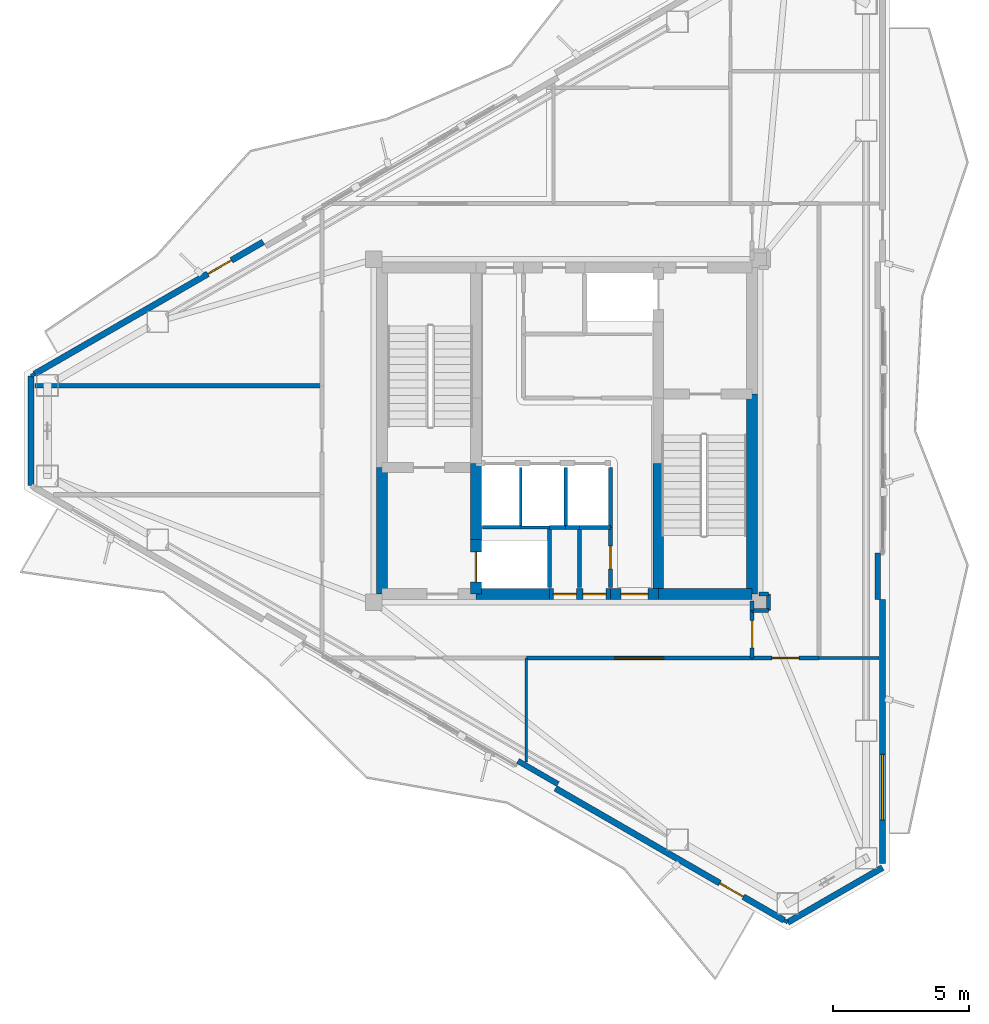
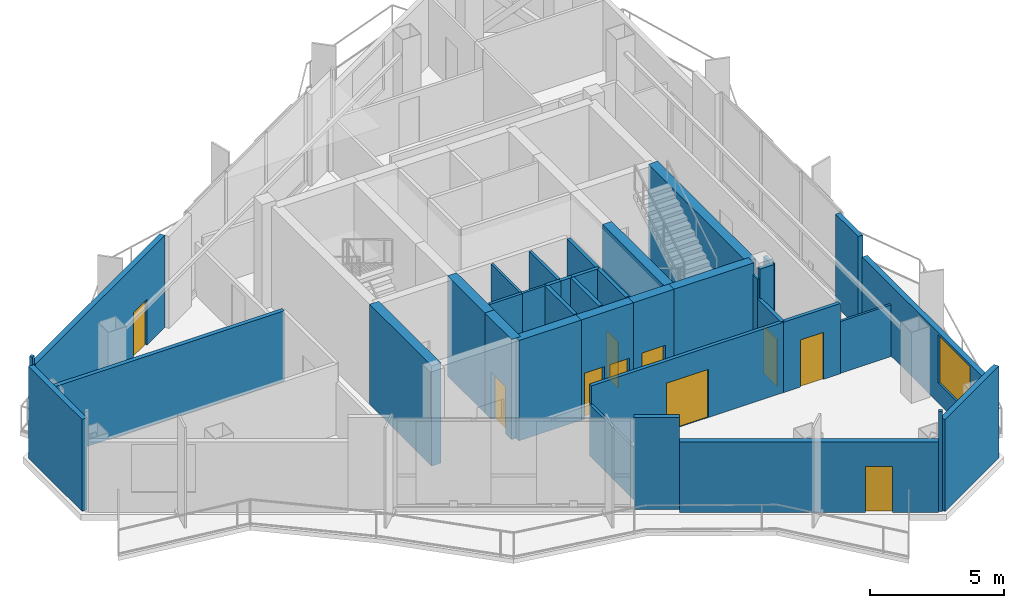
# One storey, part 11 of 15: 39 walls, 10 doors, 1 window, 11 openings.
"""IFC4 building model written with IfcOpenShell, lengths in metres."""

from ifc_helpers import new_model, si_unit, direction, frame, frame_2d, origin, place, context, subcontext, project, spatial, rectangle, extrude, material, layer, layer_set, type_object, element, fill, save


model = new_model("IFC4")

# Units and contexts
model_context = context("Model", 3, precision=1e-05, world=origin(), true_north=direction((0.0, 1.0)))
body_context = subcontext(model_context, "Body", "Model", "MODEL_VIEW")
ifc_project = project(units=[si_unit("LENGTHUNIT", "METRE"), si_unit("AREAUNIT", "SQUARE_METRE"), si_unit("VOLUMEUNIT", "CUBIC_METRE"), si_unit("PLANEANGLEUNIT", "RADIAN"), si_unit("MASSUNIT", "GRAM", prefix="KILO")], contexts=[model_context])

# Site, building, storey
site_placement = place(None, origin())
site = spatial("IfcSite", under=ifc_project, at=site_placement, CompositionType="ELEMENT")
building_placement = place(site_placement, origin())
building = spatial("IfcBuilding", under=site, at=building_placement, Name="Mersakhor Tower and Convention Hall", CompositionType="ELEMENT")
storey_placement = place(building_placement, frame((0.0, 0.0, 218.39990234375)))
storey = spatial("IfcBuildingStorey", under=building, at=storey_placement, Name="L61", CompositionType="ELEMENT", Elevation=218.39990234375)

# Walls
ifc_material_1 = material(Name="Precast concrete C40/50", Category="concrete")
ifc_layer_1 = layer(ifc_material_1, 0.22509765625)
ifc_layer_set_1 = layer_set([ifc_layer_1], Name="Precast concrete C40/50")
wall_type_1 = type_object("IfcWallType", Name="WL-EXT-225", PredefinedType="SOLIDWALL", material=ifc_layer_set_1)
for number, where, z_axis, x_axis, name in (
    (1, (40.58837890625, 10.70166015625, 0.0), (0.0, 0.0, 1.0), (-0.866023907196, -0.500002592159, 0.0), "L61 Chamfer Braced Spandrel Wall C2"),
    (2, (9.3076171875, 24.73828125, 0.0), (0.0, 0.0, 1.0), (0.0, 1.0, 0.0), "L61 Chamfer Braced Spandrel Wall C3"),
):
    element("IfcWall", number, at=place(storey_placement, frame(where, z_axis=z_axis, x_axis=x_axis)), inside=storey, type_object=wall_type_1, Name=name, PredefinedType="SOLIDWALL", context=body_context, shape_type="SweptSolid", body=[
        extrude(rectangle(XDim=4.0234375, YDim=0.22509765625, at=frame_2d((2.01171875, 0.0))), origin(), (0.0, 0.0, 1.0), 4.2001953125),
    ])

# Wall, opening, door
wall_1_placement = place(storey_placement, frame((9.4375, 28.836669921875, 0.0), z_axis=(0.0, 0.0, 1.0), x_axis=(0.866027133173, 0.499997004599, 0.0)))
wall_1 = element("IfcWall", 3, at=wall_1_placement, inside=storey, type_object=wall_type_1, Name="L61 Exterior Facade Wall F1-B1", PredefinedType="SOLIDWALL", context=body_context, shape_type="SweptSolid", body=[
    extrude(rectangle(XDim=9.69873046875, YDim=0.22509765625, at=frame_2d((4.849365234375, 0.0))), origin(), (0.0, 0.0, 1.0), 4.2001953125),
])
opening_1_placement = place(wall_1_placement, frame((7.35205078125, 0.0, 0.0)))
opening_1 = element("IfcOpeningElement", 4, at=opening_1_placement, cuts=wall_1, Name="Opening BD-01", PredefinedType="OPENING", context=body_context, shape_type="SweptSolid", body=[
    extrude(rectangle(XDim=1.0, YDim=2.10009765625, at=frame_2d((0.5, 1.050048828125))), frame((0.0, 0.12255859375, 0.0), z_axis=(0.0, -1.0, 0.0), x_axis=(1.0, 0.0, 0.0)), (0.0, 0.0, 1.0), 0.2451171875),
])
ifc_material_2 = material(Name="Thermally broken dark aluminium and safety glass", Category="aluminium")
door_type_1 = type_object("IfcDoorType", Name="DR-BAL-100x210", OperationType="NOTDEFINED", PredefinedType="DOOR", material=ifc_material_2)
door_1_placement = place(opening_1_placement, origin())
door_1 = element("IfcDoor", 5, at=door_1_placement, inside=storey, type_object=door_type_1, Name="L61 Balcony Terrace Door F1-B1", OperationType="SINGLE_SWING_LEFT", OverallHeight=2.10009765625, OverallWidth=1.0, PredefinedType="DOOR", context=body_context, shape_type="SweptSolid", body=[
    extrude(rectangle(XDim=1.0, YDim=2.10009765625, at=frame_2d((0.5, 1.050048828125))), frame((0.0, 0.02490234375, 0.0), z_axis=(0.0, -1.0, 0.0), x_axis=(1.0, 0.0, 0.0)), (0.0, 0.0, 1.0), 0.050048828125),
])
fill(opening_1, door_1)

# Wall, opening, window
wall_2_placement = place(storey_placement, frame((40.58837890625, 20.550537109375, 0.0), z_axis=(0.0, 0.0, 1.0), x_axis=(0.0, -1.0, 0.0)))
wall_2 = element("IfcWall", 6, at=wall_2_placement, inside=storey, type_object=wall_type_1, Name="L61 Exterior Facade Wall F2-B3", PredefinedType="SOLIDWALL", context=body_context, shape_type="SweptSolid", body=[
    extrude(rectangle(XDim=9.698974609375, YDim=0.22509765625, at=frame_2d((4.849609375, 0.0))), origin(), (0.0, 0.0, 1.0), 3.215087890625),
])
opening_2_placement = place(wall_2_placement, frame((5.693115234375, 0.0, 0.89990234375)))
opening_2 = element("IfcOpeningElement", 7, at=opening_2_placement, cuts=wall_2, Name="Opening W-09", PredefinedType="OPENING", context=body_context, shape_type="SweptSolid", body=[
    extrude(rectangle(XDim=2.39990234375, YDim=2.199951171875, at=frame_2d((1.199951171875, 1.10009765625))), frame((0.0, 0.12255859375, 0.0), z_axis=(0.0, -1.0, 0.0), x_axis=(1.0, 0.0, 0.0)), (0.0, 0.0, 1.0), 0.2451171875),
])
ifc_material_3 = material(Name="Dark solar low-E glazed aluminium window", Category="aluminium")
window_type = type_object("IfcWindowType", Name="WN-COM-240x220", PartitioningType="SINGLE_PANEL", PredefinedType="WINDOW", material=ifc_material_3)
window_placement = place(opening_2_placement, origin())
window = element("IfcWindow", 8, at=window_placement, inside=storey, type_object=window_type, Name="L61 Facade Punched Window F2-B3", OverallHeight=2.199951171875, OverallWidth=2.39990234375, PartitioningType="SINGLE_PANEL", PredefinedType="WINDOW", context=body_context, shape_type="SweptSolid", body=[
    extrude(rectangle(XDim=2.39990234375, YDim=2.199951171875, at=frame_2d((1.199951171875, 1.10009765625))), frame((0.0, 0.030029296875, 0.0), z_axis=(0.0, -1.0, 0.0), x_axis=(1.0, 0.0, 0.0)), (0.0, 0.0, 1.0), 0.06005859375),
])
fill(opening_2, window)

# Wall, opening, door
wall_3_placement = place(storey_placement, frame((36.97412109375, 8.764892578125, 0.0), z_axis=(0.0, 0.0, 1.0), x_axis=(-0.866016233231, 0.500015883528, 0.0)))
wall_3 = element("IfcWall", 9, at=wall_3_placement, inside=storey, type_object=wall_type_1, Name="L61 Exterior Facade Wall F3-B1", PredefinedType="SOLIDWALL", context=body_context, shape_type="SweptSolid", body=[
    extrude(rectangle(XDim=9.698974609375, YDim=0.22509765625, at=frame_2d((4.849609375, 0.0))), origin(), (0.0, 0.0, 1.0), 3.215087890625),
])
opening_3_placement = place(wall_3_placement, frame((1.72998046875, 0.0, 0.0)))
opening_3 = element("IfcOpeningElement", 10, at=opening_3_placement, cuts=wall_3, Name="Opening BD-01", PredefinedType="OPENING", context=body_context, shape_type="SweptSolid", body=[
    extrude(rectangle(XDim=1.0, YDim=2.10009765625, at=frame_2d((0.5, 1.050048828125))), frame((0.0, 0.12255859375, 0.0), z_axis=(0.0, -1.0, 0.0), x_axis=(1.0, 0.0, 0.0)), (0.0, 0.0, 1.0), 0.2451171875),
])
door_2_placement = place(opening_3_placement, origin())
door_2 = element("IfcDoor", 11, at=door_2_placement, inside=storey, type_object=door_type_1, Name="L61 Balcony Terrace Door F3-B1", OperationType="SINGLE_SWING_LEFT", OverallHeight=2.10009765625, OverallWidth=1.0, PredefinedType="DOOR", context=body_context, shape_type="SweptSolid", body=[
    extrude(rectangle(XDim=1.0, YDim=2.10009765625, at=frame_2d((0.5, 1.050048828125))), frame((0.0, 0.02490234375, 0.0), z_axis=(0.0, -1.0, 0.0), x_axis=(1.0, 0.0, 0.0)), (0.0, 0.0, 1.0), 0.050048828125),
])
fill(opening_3, door_2)

# Walls
ifc_material_4 = material(Name="Precast concrete C40/50", Category="concrete")
ifc_layer_2 = layer(ifc_material_4, 0.199951171875)
ifc_layer_set_2 = layer_set([ifc_layer_2], Name="Precast concrete C40/50")
wall_type_2 = type_object("IfcWallType", Name="WL-PAR-200", PredefinedType="PARAPET", material=ifc_layer_set_2)
wall_4_placement = place(storey_placement, frame((40.408447265625, 22.25048828125, 0.0), z_axis=(0.0, 0.0, 1.0), x_axis=(0.0, -1.0, 0.0)))
element("IfcWall", 12, at=wall_4_placement, inside=storey, type_object=wall_type_2, Name="L61 Column Pier Cladding Wall F2-C2", PredefinedType="PARAPET", context=body_context, shape_type="SweptSolid", body=[
    extrude(rectangle(XDim=1.699951171875, YDim=0.199951171875, at=frame_2d((0.85009765625, 0.0))), origin(), (0.0, 0.0, 1.0), 4.2001953125),
])
wall_5_placement = place(storey_placement, frame((28.664794921875, 13.770263671875, 0.0), z_axis=(0.0, 0.0, 1.0), x_axis=(-0.866025371046, 0.500000056704, 0.0)))
element("IfcWall", 13, at=wall_5_placement, inside=storey, type_object=wall_type_2, Name="L61 Column Pier Cladding Wall F3-C1", PredefinedType="PARAPET", context=body_context, shape_type="SweptSolid", body=[
    extrude(rectangle(XDim=1.7001953125, YDim=0.199951171875, at=frame_2d((0.85009765625, 0.0))), origin(), (0.0, 0.0, 1.0), 4.2001953125),
])
ifc_material_5 = material(Name="Moisture-resistant acoustic drywall studwork", Category="other")
ifc_layer_3 = layer(ifc_material_5, 0.175048828125)
ifc_layer_set_3 = layer_set([ifc_layer_3], Name="Moisture-resistant acoustic drywall studwork")
wall_type_3 = type_object("IfcWallType", Name="WL-PLM-175", PredefinedType="PLUMBINGWALL", material=ifc_layer_set_3)
wall_6_placement = place(storey_placement, frame((9.444091796875, 28.39990234375, 0.0), z_axis=(0.0, 0.0, 1.0), x_axis=(1.0, 0.0, 0.0)))
element("IfcWall", 14, at=wall_6_placement, inside=storey, type_object=wall_type_3, Name="L61 Interior Partition Wall P-039", PredefinedType="PLUMBINGWALL", context=body_context, shape_type="SweptSolid", body=[
    extrude(rectangle(XDim=10.555908203125, YDim=0.175048828125, at=frame_2d((5.27783203125, 0.0))), origin(), (0.0, 0.0, 1.0), 3.215087890625),
])
ifc_material_6 = material(Name="Lightweight gypsum partition", Category="other")
ifc_layer_4 = layer(ifc_material_6, 0.10009765625)
ifc_layer_set_4 = layer_set([ifc_layer_4], Name="Lightweight gypsum partition")
wall_type_4 = type_object("IfcWallType", Name="WL-PRT-100", PredefinedType="PARTITIONING", material=ifc_layer_set_4)
wall_7_placement = place(storey_placement, frame((27.300048828125, 23.199951171875, 0.0), z_axis=(0.0, 0.0, 1.0), x_axis=(1.0, 0.0, 0.0)))
element("IfcWall", 15, at=wall_7_placement, inside=storey, type_object=wall_type_4, Name="L61 Interior Partition Wall P-002", PredefinedType="PARTITIONING", context=body_context, shape_type="SweptSolid", body=[
    extrude(rectangle(XDim=1.050048828125, YDim=0.10009765625, at=frame_2d((0.52490234375, 0.0))), origin(), (0.0, 0.0, 1.0), 4.580078125),
])
wall_8_placement = place(storey_placement, frame((27.300048828125, 25.39990234375, 0.0), z_axis=(0.0, 0.0, 1.0), x_axis=(0.0, -1.0, 0.0)))
element("IfcWall", 16, at=wall_8_placement, inside=storey, type_object=wall_type_4, Name="L61 Interior Partition Wall P-006", PredefinedType="PARTITIONING", context=body_context, shape_type="SweptSolid", body=[
    extrude(rectangle(XDim=2.199951171875, YDim=0.10009765625, at=frame_2d((1.10009765625, 0.0))), origin(), (0.0, 0.0, 1.0), 4.580078125),
])
wall_9_placement = place(storey_placement, frame((40.451904296875, 18.39990234375, 0.0), z_axis=(0.0, 0.0, 1.0), x_axis=(-1.0, 0.0, 0.0)))
element("IfcWall", 17, at=wall_9_placement, inside=storey, type_object=wall_type_4, Name="L61 Interior Partition Wall P-050", PredefinedType="PARTITIONING", context=body_context, shape_type="SweptSolid", body=[
    extrude(rectangle(XDim=2.201904296875, YDim=0.10009765625, at=frame_2d((1.10107421875, 0.0))), origin(), (0.0, 0.0, 1.0), 2.364990234375),
])
wall_10_placement = place(storey_placement, frame((27.5, 14.5859375, 0.0), z_axis=(0.0, 0.0, 1.0), x_axis=(0.0, 1.0, 0.0)))
element("IfcWall", 18, at=wall_10_placement, inside=storey, type_object=wall_type_4, Name="L61 Interior Partition Wall P-052", PredefinedType="PARTITIONING", context=body_context, shape_type="SweptSolid", body=[
    extrude(rectangle(XDim=3.81396484375, YDim=0.10009765625, at=frame_2d((1.906982421875, 0.0))), origin(), (0.0, 0.0, 1.0), 2.364990234375),
])
ifc_material_7 = material(Name="Gypsum board acoustic partition", Category="other")
ifc_layer_5 = layer(ifc_material_7, 0.125)
ifc_layer_set_5 = layer_set([ifc_layer_5], Name="Gypsum board acoustic partition")
wall_type_5 = type_object("IfcWallType", Name="WL-PRT-125", PredefinedType="PARTITIONING", material=ifc_layer_set_5)
wall_11_placement = place(storey_placement, frame((25.89990234375, 23.199951171875, 0.0), z_axis=(0.0, 0.0, 1.0), x_axis=(1.0, 0.0, 0.0)))
element("IfcWall", 19, at=wall_11_placement, inside=storey, type_object=wall_type_5, Name="L61 Interior Partition Wall P-001", PredefinedType="PARTITIONING", context=body_context, shape_type="SweptSolid", body=[
    extrude(rectangle(XDim=1.400146484375, YDim=0.125, at=frame_2d((0.7001953125, 0.0))), origin(), (0.0, 0.0, 1.0), 4.580078125),
])
wall_12_placement = place(storey_placement, frame((28.949951171875, 25.39990234375, 0.0), z_axis=(0.0, 0.0, 1.0), x_axis=(0.0, -1.0, 0.0)))
element("IfcWall", 20, at=wall_12_placement, inside=storey, type_object=wall_type_5, Name="L61 Interior Partition Wall P-007", PredefinedType="PARTITIONING", context=body_context, shape_type="SweptSolid", body=[
    extrude(rectangle(XDim=2.199951171875, YDim=0.125, at=frame_2d((1.10009765625, 0.0))), origin(), (0.0, 0.0, 1.0), 4.580078125),
])
wall_13_placement = place(storey_placement, frame((37.10400390625, 8.68994140625, 0.0), z_axis=(0.0, 0.0, 1.0), x_axis=(-0.866131372301, 0.499816412211, 0.0)))
element("IfcWall", 21, at=wall_13_placement, inside=storey, type_object=wall_type_5, Name="L61 Interior Partition Wall P-051", PredefinedType="PARTITIONING", context=body_context, shape_type="SweptSolid", body=[
    extrude(rectangle(XDim=0.14990234375, YDim=0.125, at=frame_2d((0.074951171875, 0.0))), origin(), (0.0, 0.0, 1.0), 4.580078125),
])
wall_14_placement = place(storey_placement, frame((9.306884765625, 28.761962890625, 0.0), z_axis=(0.0, 0.0, 1.0), x_axis=(0.865833797362, 0.500331725305, 0.0)))
element("IfcWall", 22, at=wall_14_placement, inside=storey, type_object=wall_type_5, Name="L61 Interior Partition Wall P-053", PredefinedType="PARTITIONING", context=body_context, shape_type="SweptSolid", body=[
    extrude(rectangle(XDim=0.150390625, YDim=0.125, at=frame_2d((0.0751953125, 0.0))), origin(), (0.0, 0.0, 1.0), 4.580078125),
])
ifc_material_8 = material(Name="Fire-rated gypsum board stud partition", Category="other")
ifc_layer_6 = layer(ifc_material_8, 0.14990234375)
ifc_layer_set_6 = layer_set([ifc_layer_6], Name="Fire-rated gypsum board stud partition")
wall_type_6 = type_object("IfcWallType", Name="WL-PRT-150", PredefinedType="PARTITIONING", material=ifc_layer_set_6)
wall_15_placement = place(storey_placement, frame((28.35009765625, 23.199951171875, 0.0), z_axis=(0.0, 0.0, 1.0), x_axis=(0.0, -1.0, 0.0)))
element("IfcWall", 23, at=wall_15_placement, inside=storey, type_object=wall_type_6, Name="L61 Interior Partition Wall P-003", PredefinedType="PARTITIONING", context=body_context, shape_type="SweptSolid", body=[
    extrude(rectangle(XDim=2.199951171875, YDim=0.14990234375, at=frame_2d((1.10009765625, 0.0))), origin(), (0.0, 0.0, 1.0), 4.580078125),
])
wall_16_placement = place(storey_placement, frame((28.949951171875, 23.199951171875, 0.0), z_axis=(0.0, 0.0, 1.0), x_axis=(-1.0, 0.0, 0.0)))
element("IfcWall", 24, at=wall_16_placement, inside=storey, type_object=wall_type_6, Name="L61 Interior Partition Wall P-008", PredefinedType="PARTITIONING", context=body_context, shape_type="SweptSolid", body=[
    extrude(rectangle(XDim=0.599853515625, YDim=0.14990234375, at=frame_2d((0.2998046875, 0.0))), origin(), (0.0, 0.0, 1.0), 4.580078125),
])
wall_17_placement = place(storey_placement, frame((30.60009765625, 25.39990234375, 0.0), z_axis=(0.0, 0.0, 1.0), x_axis=(0.0, -1.0, 0.0)))
element("IfcWall", 25, at=wall_17_placement, inside=storey, type_object=wall_type_6, Name="L61 Interior Partition Wall P-009", PredefinedType="PARTITIONING", context=body_context, shape_type="SweptSolid", body=[
    extrude(rectangle(XDim=2.199951171875, YDim=0.14990234375, at=frame_2d((1.10009765625, 0.0))), origin(), (0.0, 0.0, 1.0), 4.580078125),
])
wall_18_placement = place(storey_placement, frame((30.60009765625, 23.199951171875, 0.0), z_axis=(0.0, 0.0, 1.0), x_axis=(-1.0, 0.0, 0.0)))
element("IfcWall", 26, at=wall_18_placement, inside=storey, type_object=wall_type_6, Name="L61 Interior Partition Wall P-010", PredefinedType="PARTITIONING", context=body_context, shape_type="SweptSolid", body=[
    extrude(rectangle(XDim=1.150146484375, YDim=0.14990234375, at=frame_2d((0.5751953125, 0.0))), origin(), (0.0, 0.0, 1.0), 4.580078125),
])
wall_19_placement = place(storey_placement, frame((29.449951171875, 23.199951171875, 0.0), z_axis=(0.0, 0.0, 1.0), x_axis=(-1.0, 0.0, 0.0)))
element("IfcWall", 27, at=wall_19_placement, inside=storey, type_object=wall_type_6, Name="L61 Interior Partition Wall P-011", PredefinedType="PARTITIONING", context=body_context, shape_type="SweptSolid", body=[
    extrude(rectangle(XDim=0.5, YDim=0.14990234375, at=frame_2d((0.25, 0.0))), origin(), (0.0, 0.0, 1.0), 4.580078125),
])

# Wall, opening, door
wall_20_placement = place(storey_placement, frame((30.60009765625, 21.0, 0.0), z_axis=(0.0, 0.0, 1.0), x_axis=(0.0, 1.0, 0.0)))
wall_20 = element("IfcWall", 28, at=wall_20_placement, inside=storey, type_object=wall_type_6, Name="L61 Interior Partition Wall P-012", PredefinedType="PARTITIONING", context=body_context, shape_type="SweptSolid", body=[
    extrude(rectangle(XDim=2.199951171875, YDim=0.14990234375, at=frame_2d((1.10009765625, 0.0))), origin(), (0.0, 0.0, 1.0), 4.580078125),
])
opening_4_placement = place(wall_20_placement, frame((0.675048828125, 0.0, 0.0)))
opening_4 = element("IfcOpeningElement", 29, at=opening_4_placement, cuts=wall_20, Name="Opening SVD-01", PredefinedType="OPENING", context=body_context, shape_type="SweptSolid", body=[
    extrude(rectangle(XDim=0.85009765625, YDim=2.10009765625, at=frame_2d((0.425048828125, 1.050048828125))), frame((0.0, 0.0849609375, 0.0), z_axis=(0.0, -1.0, 0.0), x_axis=(1.0, 0.0, 0.0)), (0.0, 0.0, 1.0), 0.169921875),
])
ifc_material_9 = material(Name="Fire-rated hardwood leaf and painted steel frame", Category="steel")
door_type_2 = type_object("IfcDoorType", Name="DR-INT-SVC-085x210", OperationType="NOTDEFINED", PredefinedType="DOOR", material=ifc_material_9)
door_3_placement = place(opening_4_placement, origin())
door_3 = element("IfcDoor", 30, at=door_3_placement, inside=storey, type_object=door_type_2, Name="L61 Central Passenger Lift Lobby to Core Maintenance Store Room Door", OperationType="SINGLE_SWING_RIGHT", OverallHeight=2.10009765625, OverallWidth=0.85009765625, PredefinedType="DOOR", context=body_context, shape_type="SweptSolid", body=[
    extrude(rectangle(XDim=0.85009765625, YDim=2.10009765625, at=frame_2d((0.425048828125, 1.050048828125))), frame((0.0, 0.02490234375, 0.0), z_axis=(0.0, -1.0, 0.0), x_axis=(1.0, 0.0, 0.0)), (0.0, 0.0, 1.0), 0.050048828125),
])
fill(opening_4, door_3)

# Wall
wall_21_placement = place(storey_placement, frame((35.800048828125, 20.5, 0.0), z_axis=(0.0, 0.0, 1.0), x_axis=(0.0, -1.0, 0.0)))
element("IfcWall", 31, at=wall_21_placement, inside=storey, type_object=wall_type_6, Name="L61 Interior Partition Wall P-021", PredefinedType="PARTITIONING", context=body_context, shape_type="SweptSolid", body=[
    extrude(rectangle(XDim=0.35009765625, YDim=0.14990234375, at=frame_2d((0.175048828125, 0.0))), origin(), (0.0, 0.0, 1.0), 4.10498046875),
])

# Wall, opening, door
wall_22_placement = place(storey_placement, frame((35.800048828125, 20.14990234375, 0.0), z_axis=(0.0, 0.0, 1.0), x_axis=(0.0, -1.0, 0.0)))
wall_22 = element("IfcWall", 32, at=wall_22_placement, inside=storey, type_object=wall_type_6, Name="L61 Interior Partition Wall P-022", PredefinedType="PARTITIONING", context=body_context, shape_type="SweptSolid", body=[
    extrude(rectangle(XDim=1.75, YDim=0.14990234375, at=frame_2d((0.875, 0.0))), origin(), (0.0, 0.0, 1.0), 3.215087890625),
])
opening_5_placement = place(wall_22_placement, frame((0.375, 0.0, 0.0)))
opening_5 = element("IfcOpeningElement", 33, at=opening_5_placement, cuts=wall_22, Name="Opening FD-01", PredefinedType="OPENING", context=body_context, shape_type="SweptSolid", body=[
    extrude(rectangle(XDim=1.0, YDim=2.14990234375, at=frame_2d((0.5, 1.074951171875))), frame((0.0, 0.0849609375, 0.0), z_axis=(0.0, -1.0, 0.0), x_axis=(1.0, 0.0, 0.0)), (0.0, 0.0, 1.0), 0.169921875),
])
ifc_material_10 = material(Name="Fire-rated hardwood leaf and painted steel frame", Category="steel")
door_type_3 = type_object("IfcDoorType", Name="DR-INT-FLT-100x215", OperationType="NOTDEFINED", PredefinedType="DOOR", material=ifc_material_10)
door_4_placement = place(opening_5_placement, origin())
door_4 = element("IfcDoor", 34, at=door_4_placement, inside=storey, type_object=door_type_3, Name="L61 Ring Corridor Fire Door", OperationType="SINGLE_SWING_RIGHT", OverallHeight=2.14990234375, OverallWidth=1.0, PredefinedType="DOOR", context=body_context, shape_type="SweptSolid", body=[
    extrude(rectangle(XDim=1.0, YDim=2.14990234375, at=frame_2d((0.5, 1.074951171875))), frame((0.0, 0.02490234375, 0.0), z_axis=(0.0, -1.0, 0.0), x_axis=(1.0, 0.0, 0.0)), (0.0, 0.0, 1.0), 0.050048828125),
])
fill(opening_5, door_4)

wall_23_placement = place(storey_placement, frame((35.800048828125, 18.39990234375, 0.0), z_axis=(0.0, 0.0, 1.0), x_axis=(-1.0, 0.0, 0.0)))
wall_23 = element("IfcWall", 35, at=wall_23_placement, inside=storey, type_object=wall_type_6, Name="L61 Interior Partition Wall P-023", PredefinedType="PARTITIONING", context=body_context, shape_type="SweptSolid", body=[
    extrude(rectangle(XDim=8.300048828125, YDim=0.14990234375, at=frame_2d((4.14990234375, 0.0))), origin(), (0.0, 0.0, 1.0), 3.215087890625),
])
opening_6_placement = place(wall_23_placement, frame((3.25, 0.0, 0.0)))
opening_6 = element("IfcOpeningElement", 36, at=opening_6_placement, cuts=wall_23, Name="Opening HD-01", PredefinedType="OPENING", context=body_context, shape_type="SweptSolid", body=[
    extrude(rectangle(XDim=1.800048828125, YDim=2.199951171875, at=frame_2d((0.89990234375, 1.10009765625))), frame((0.0, 0.0849609375, 0.0), z_axis=(0.0, -1.0, 0.0), x_axis=(1.0, 0.0, 0.0)), (0.0, 0.0, 1.0), 0.169921875),
])
ifc_material_11 = material(Name="Fire-rated hardwood leaf and painted steel frame", Category="steel")
door_type_4 = type_object("IfcDoorType", Name="DR-INT-HALL-180x220", OperationType="NOTDEFINED", PredefinedType="DOOR", material=ifc_material_11)
door_5_placement = place(opening_6_placement, origin())
door_5 = element("IfcDoor", 37, at=door_5_placement, inside=storey, type_object=door_type_4, Name="L61 L61 Sky-Lobby Corridor to Residents Committee Meeting Room Door", OperationType="DOUBLE_DOOR_SINGLE_SWING", OverallHeight=2.199951171875, OverallWidth=1.800048828125, PredefinedType="DOOR", context=body_context, shape_type="SweptSolid", body=[
    extrude(rectangle(XDim=1.800048828125, YDim=2.199951171875, at=frame_2d((0.89990234375, 1.10009765625))), frame((0.0, 0.02490234375, 0.0), z_axis=(0.0, -1.0, 0.0), x_axis=(1.0, 0.0, 0.0)), (0.0, 0.0, 1.0), 0.050048828125),
])
fill(opening_6, door_5)

wall_24_placement = place(storey_placement, frame((38.25, 18.39990234375, 0.0), z_axis=(0.0, 0.0, 1.0), x_axis=(-1.0, 0.0, 0.0)))
wall_24 = element("IfcWall", 38, at=wall_24_placement, inside=storey, type_object=wall_type_6, Name="L61 Interior Partition Wall P-032", PredefinedType="PARTITIONING", context=body_context, shape_type="SweptSolid", body=[
    extrude(rectangle(XDim=2.449951171875, YDim=0.14990234375, at=frame_2d((1.22509765625, 0.0))), origin(), (0.0, 0.0, 1.0), 3.215087890625),
])
opening_7_placement = place(wall_24_placement, frame((0.72509765625, 0.0, 0.0)))
opening_7 = element("IfcOpeningElement", 39, at=opening_7_placement, cuts=wall_24, Name="Opening FD-01", PredefinedType="OPENING", context=body_context, shape_type="SweptSolid", body=[
    extrude(rectangle(XDim=1.0, YDim=2.14990234375, at=frame_2d((0.5, 1.074951171875))), frame((0.0, 0.0849609375, 0.0), z_axis=(0.0, -1.0, 0.0), x_axis=(1.0, 0.0, 0.0)), (0.0, 0.0, 1.0), 0.169921875),
])
door_6_placement = place(opening_7_placement, origin())
door_6 = element("IfcDoor", 40, at=door_6_placement, inside=storey, type_object=door_type_3, Name="L61 L61 Sky-Lobby East Corridor to Residents Committee Meeting Room Door", OperationType="SINGLE_SWING_LEFT", OverallHeight=2.14990234375, OverallWidth=1.0, PredefinedType="DOOR", context=body_context, shape_type="SweptSolid", body=[
    extrude(rectangle(XDim=1.0, YDim=2.14990234375, at=frame_2d((0.5, 1.074951171875))), frame((0.0, 0.02490234375, 0.0), z_axis=(0.0, -1.0, 0.0), x_axis=(1.0, 0.0, 0.0)), (0.0, 0.0, 1.0), 0.050048828125),
])
fill(opening_7, door_6)

# Walls
wall_25_placement = place(storey_placement, frame((35.800048828125, 20.14990234375, 0.0), z_axis=(0.0, 0.0, 1.0), x_axis=(1.0, 0.0, 0.0)))
element("IfcWall", 41, at=wall_25_placement, inside=storey, type_object=wall_type_6, Name="L61 Interior Partition Wall P-033", PredefinedType="PARTITIONING", context=body_context, shape_type="SweptSolid", body=[
    extrude(rectangle(XDim=0.599853515625, YDim=0.14990234375, at=frame_2d((0.2998046875, 0.0))), origin(), (0.0, 0.0, 1.0), 4.580078125),
])
wall_26_placement = place(storey_placement, frame((36.39990234375, 20.14990234375, 0.0), z_axis=(0.0, 0.0, 1.0), x_axis=(0.0, 1.0, 0.0)))
element("IfcWall", 42, at=wall_26_placement, inside=storey, type_object=wall_type_6, Name="L61 Interior Partition Wall P-034", PredefinedType="PARTITIONING", context=body_context, shape_type="SweptSolid", body=[
    extrude(rectangle(XDim=0.60009765625, YDim=0.14990234375, at=frame_2d((0.300048828125, 0.0))), origin(), (0.0, 0.0, 1.0), 4.580078125),
])
wall_27_placement = place(storey_placement, frame((36.39990234375, 20.75, 0.0), z_axis=(0.0, 0.0, 1.0), x_axis=(-1.0, 0.0, 0.0)))
element("IfcWall", 43, at=wall_27_placement, inside=storey, type_object=wall_type_6, Name="L61 Interior Partition Wall P-035", PredefinedType="PARTITIONING", context=body_context, shape_type="SweptSolid", body=[
    extrude(rectangle(XDim=0.349853515625, YDim=0.14990234375, at=frame_2d((0.1748046875, 0.0))), origin(), (0.0, 0.0, 1.0), 4.10498046875),
])
wall_28_placement = place(storey_placement, frame((29.449951171875, 23.199951171875, 0.0), z_axis=(0.0, 0.0, 1.0), x_axis=(0.0, -1.0, 0.0)))
element("IfcWall", 44, at=wall_28_placement, inside=storey, type_object=wall_type_6, Name="L61 Interior Partition Wall P-041", PredefinedType="PARTITIONING", context=body_context, shape_type="SweptSolid", body=[
    extrude(rectangle(XDim=2.199951171875, YDim=0.14990234375, at=frame_2d((1.10009765625, 0.0))), origin(), (0.0, 0.0, 1.0), 4.580078125),
])
ifc_material_12 = material(Name="Concrete C60/75", Category="concrete")
ifc_layer_7 = layer(ifc_material_12, 0.39990234375)
ifc_layer_set_7 = layer_set([ifc_layer_7], Name="Concrete C60/75")
wall_type_7 = type_object("IfcWallType", Name="WL-SHR-400", PredefinedType="SHEAR", material=ifc_layer_set_7)
wall_29_placement = place(storey_placement, frame((22.199951171875, 20.75, 0.0), z_axis=(0.0, 0.0, 1.0), x_axis=(0.0, 1.0, 0.0)))
element("IfcWall", 45, at=wall_29_placement, inside=storey, type_object=wall_type_7, Name="L61 Core Wall CW-W1", PredefinedType="SHEAR", context=body_context, shape_type="SweptSolid", body=[
    extrude(rectangle(XDim=4.64990234375, YDim=0.39990234375, at=frame_2d((2.324951171875, 0.0))), origin(), (0.0, 0.0, 1.0), 4.580078125),
])
wall_30_placement = place(storey_placement, frame((35.800048828125, 28.10009765625, 0.0), z_axis=(0.0, 0.0, 1.0), x_axis=(0.0, -1.0, 0.0)))
element("IfcWall", 46, at=wall_30_placement, inside=storey, type_object=wall_type_7, Name="L61 Core Wall CW-E2", PredefinedType="SHEAR", context=body_context, shape_type="SweptSolid", body=[
    extrude(rectangle(XDim=7.35009765625, YDim=0.39990234375, at=frame_2d((3.675048828125, 0.0))), origin(), (0.0, 0.0, 1.0), 4.580078125),
])
wall_31_placement = place(storey_placement, frame((35.800048828125, 20.75, 0.0), z_axis=(0.0, 0.0, 1.0), x_axis=(-1.0, 0.0, 0.0)))
element("IfcWall", 47, at=wall_31_placement, inside=storey, type_object=wall_type_7, Name="L61 Core Wall CW-S1", PredefinedType="SHEAR", context=body_context, shape_type="SweptSolid", body=[
    extrude(rectangle(XDim=3.449951171875, YDim=0.39990234375, at=frame_2d((1.72509765625, 0.0))), origin(), (0.0, 0.0, 1.0), 4.580078125),
])

# Wall, opening, door
wall_32_placement = place(storey_placement, frame((32.35009765625, 20.75, 0.0), z_axis=(0.0, 0.0, 1.0), x_axis=(-1.0, 0.0, 0.0)))
wall_32 = element("IfcWall", 48, at=wall_32_placement, inside=storey, type_object=wall_type_7, Name="L61 Core Wall CW-S2A", PredefinedType="SHEAR", context=body_context, shape_type="SweptSolid", body=[
    extrude(rectangle(XDim=1.75, YDim=0.39990234375, at=frame_2d((0.875, 0.0))), origin(), (0.0, 0.0, 1.0), 4.580078125),
])
opening_8_placement = place(wall_32_placement, frame((0.375, 0.0, 0.0)))
opening_8 = element("IfcOpeningElement", 49, at=opening_8_placement, cuts=wall_32, Name="Opening CFD-01", PredefinedType="OPENING", context=body_context, shape_type="SweptSolid", body=[
    extrude(rectangle(XDim=1.0, YDim=2.14990234375, at=frame_2d((0.5, 1.074951171875))), frame((0.0, 0.2099609375, 0.0), z_axis=(0.0, -1.0, 0.0), x_axis=(1.0, 0.0, 0.0)), (0.0, 0.0, 1.0), 0.419921875),
])
ifc_material_13 = material(Name="Fire-rated hardwood leaf and painted steel frame", Category="steel")
door_type_5 = type_object("IfcDoorType", Name="DR-CORE-FD-100x215", OperationType="NOTDEFINED", PredefinedType="DOOR", material=ifc_material_13)
door_7_placement = place(opening_8_placement, origin())
door_7 = element("IfcDoor", 50, at=door_7_placement, inside=storey, type_object=door_type_5, Name="L61 Lift Lobby South Corridor Door", OperationType="SINGLE_SWING_RIGHT", OverallHeight=2.14990234375, OverallWidth=1.0, PredefinedType="DOOR", context=body_context, shape_type="SweptSolid", body=[
    extrude(rectangle(XDim=1.0, YDim=2.14990234375, at=frame_2d((0.5, 1.074951171875))), frame((0.0, 0.02490234375, 0.0), z_axis=(0.0, -1.0, 0.0), x_axis=(1.0, 0.0, 0.0)), (0.0, 0.0, 1.0), 0.050048828125),
])
fill(opening_8, door_7)

# Wall, openings, doors
wall_33_placement = place(storey_placement, frame((30.60009765625, 20.75, 0.0), z_axis=(0.0, 0.0, 1.0), x_axis=(-1.0, 0.0, 0.0)))
wall_33 = element("IfcWall", 51, at=wall_33_placement, inside=storey, type_object=wall_type_7, Name="L61 Core Wall CW-S2B", PredefinedType="SHEAR", context=body_context, shape_type="SweptSolid", body=[
    extrude(rectangle(XDim=2.25, YDim=0.39990234375, at=frame_2d((1.125, 0.0))), origin(), (0.0, 0.0, 1.0), 4.580078125),
])
opening_9_placement = place(wall_33_placement, frame((1.2548828125, 0.0, 0.0)))
opening_9 = element("IfcOpeningElement", 52, at=opening_9_placement, cuts=wall_33, Name="Opening SVD-01", PredefinedType="OPENING", context=body_context, shape_type="SweptSolid", body=[
    extrude(rectangle(XDim=0.85009765625, YDim=2.10009765625, at=frame_2d((0.425048828125, 1.050048828125))), frame((0.0, 0.2099609375, 0.0), z_axis=(0.0, -1.0, 0.0), x_axis=(1.0, 0.0, 0.0)), (0.0, 0.0, 1.0), 0.419921875),
])
opening_10_placement = place(wall_33_placement, frame((0.169921875, 0.0, 0.0)))
opening_10 = element("IfcOpeningElement", 53, at=opening_10_placement, cuts=wall_33, Name="Opening SVD-01", PredefinedType="OPENING", context=body_context, shape_type="SweptSolid", body=[
    extrude(rectangle(XDim=0.85009765625, YDim=2.10009765625, at=frame_2d((0.425048828125, 1.050048828125))), frame((0.0, 0.2099609375, 0.0), z_axis=(0.0, -1.0, 0.0), x_axis=(1.0, 0.0, 0.0)), (0.0, 0.0, 1.0), 0.419921875),
])
door_8_placement = place(opening_9_placement, origin())
door_8 = element("IfcDoor", 54, at=door_8_placement, inside=storey, type_object=door_type_2, Name="L61 L61 Sky-Lobby Corridor to Sub-Metering Switch Room Door", OperationType="SINGLE_SWING_RIGHT", OverallHeight=2.10009765625, OverallWidth=0.85009765625, PredefinedType="DOOR", context=body_context, shape_type="SweptSolid", body=[
    extrude(rectangle(XDim=0.85009765625, YDim=2.10009765625, at=frame_2d((0.425048828125, 1.050048828125))), frame((0.0, 0.02490234375, 0.0), z_axis=(0.0, -1.0, 0.0), x_axis=(1.0, 0.0, 0.0)), (0.0, 0.0, 1.0), 0.050048828125),
])
fill(opening_9, door_8)
door_9_placement = place(opening_10_placement, origin())
door_9 = element("IfcDoor", 55, at=door_9_placement, inside=storey, type_object=door_type_2, Name="L61 L61 Sky-Lobby Corridor to Core Maintenance Store Room Door", OperationType="SINGLE_SWING_LEFT", OverallHeight=2.10009765625, OverallWidth=0.85009765625, PredefinedType="DOOR", context=body_context, shape_type="SweptSolid", body=[
    extrude(rectangle(XDim=0.85009765625, YDim=2.10009765625, at=frame_2d((0.425048828125, 1.050048828125))), frame((0.0, 0.02490234375, 0.0), z_axis=(0.0, -1.0, 0.0), x_axis=(1.0, 0.0, 0.0)), (0.0, 0.0, 1.0), 0.050048828125),
])
fill(opening_10, door_9)

# Wall
wall_34_placement = place(storey_placement, frame((28.35009765625, 20.75, 0.0), z_axis=(0.0, 0.0, 1.0), x_axis=(-1.0, 0.0, 0.0)))
element("IfcWall", 56, at=wall_34_placement, inside=storey, type_object=wall_type_7, Name="L61 Core Wall CW-S3", PredefinedType="SHEAR", context=body_context, shape_type="SweptSolid", body=[
    extrude(rectangle(XDim=2.7001953125, YDim=0.39990234375, at=frame_2d((1.35009765625, 0.0))), origin(), (0.0, 0.0, 1.0), 4.580078125),
])

# Wall, opening, door
wall_35_placement = place(storey_placement, frame((25.64990234375, 20.75, 0.0), z_axis=(0.0, 0.0, 1.0), x_axis=(0.0, 1.0, 0.0)))
wall_35 = element("IfcWall", 57, at=wall_35_placement, inside=storey, type_object=wall_type_7, Name="L61 Core Wall CS-W-FFL", PredefinedType="SHEAR", context=body_context, shape_type="SweptSolid", body=[
    extrude(rectangle(XDim=2.0, YDim=0.39990234375, at=frame_2d((1.0, 0.0))), origin(), (0.0, 0.0, 1.0), 4.580078125),
])
opening_11_placement = place(wall_35_placement, frame((0.449951171875, 0.0, 0.0)))
opening_11 = element("IfcOpeningElement", 58, at=opening_11_placement, cuts=wall_35, Name="Opening LD-FFL1", PredefinedType="OPENING", context=body_context, shape_type="SweptSolid", body=[
    extrude(rectangle(XDim=1.10009765625, YDim=2.14990234375, at=frame_2d((0.550048828125, 1.074951171875))), frame((0.0, 0.2099609375, 0.0), z_axis=(0.0, -1.0, 0.0), x_axis=(1.0, 0.0, 0.0)), (0.0, 0.0, 1.0), 0.419921875),
])
ifc_material_14 = material(Name="Fire-rated brushed stainless steel sliding landing door", Category="steel")
door_type_6 = type_object("IfcDoorType", Name="DR-LIFT-SLD-110x215", OperationType="NOTDEFINED", PredefinedType="DOOR", material=ifc_material_14)
door_10_placement = place(opening_11_placement, origin())
door_10 = element("IfcDoor", 59, at=door_10_placement, inside=storey, type_object=door_type_6, Name="L61 Firefighting Lift Landing Door LD-FFL1", OperationType="SLIDING_TO_LEFT", OverallHeight=2.14990234375, OverallWidth=1.10009765625, PredefinedType="DOOR", context=body_context, shape_type="SweptSolid", body=[
    extrude(rectangle(XDim=1.10009765625, YDim=2.14990234375, at=frame_2d((0.550048828125, 1.074951171875))), frame((0.0, 0.02490234375, 0.0), z_axis=(0.0, -1.0, 0.0), x_axis=(1.0, 0.0, 0.0)), (0.0, 0.0, 1.0), 0.050048828125),
])
fill(opening_11, door_10)

# Walls
wall_36_placement = place(storey_placement, frame((25.64990234375, 22.75, 0.0), z_axis=(0.0, 0.0, 1.0), x_axis=(0.0, 1.0, 0.0)))
element("IfcWall", 60, at=wall_36_placement, inside=storey, type_object=wall_type_7, Name="L61 Core Wall CS-W-MID", PredefinedType="SHEAR", context=body_context, shape_type="SweptSolid", body=[
    extrude(rectangle(XDim=2.800048828125, YDim=0.39990234375, at=frame_2d((1.39990234375, 0.0))), origin(), (0.0, 0.0, 1.0), 4.580078125),
])
wall_37_placement = place(storey_placement, frame((32.35009765625, 20.75, 0.0), z_axis=(0.0, 0.0, 1.0), x_axis=(0.0, 1.0, 0.0)))
element("IfcWall", 61, at=wall_37_placement, inside=storey, type_object=wall_type_7, Name="L61 Core Wall CS-E-ST2", PredefinedType="SHEAR", context=body_context, shape_type="SweptSolid", body=[
    extrude(rectangle(XDim=4.800048828125, YDim=0.39990234375, at=frame_2d((2.39990234375, 0.0))), origin(), (0.0, 0.0, 1.0), 4.580078125),
])

save(model, "model.ifc")
